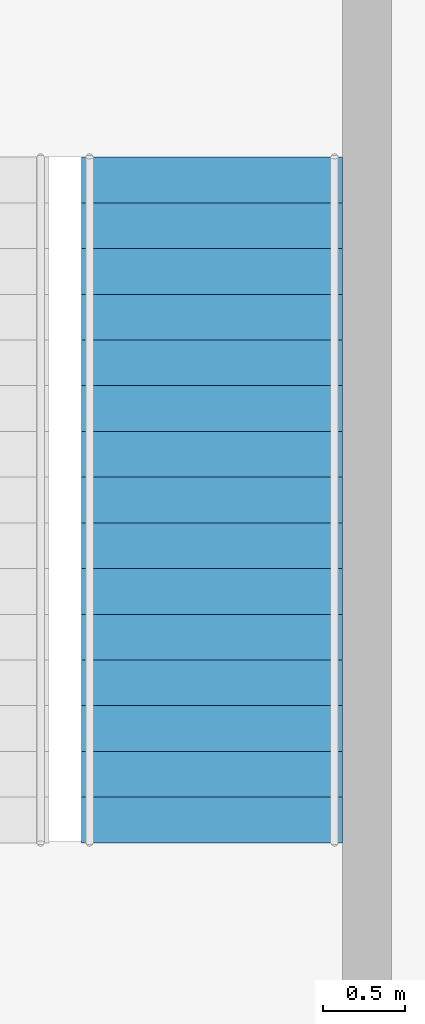
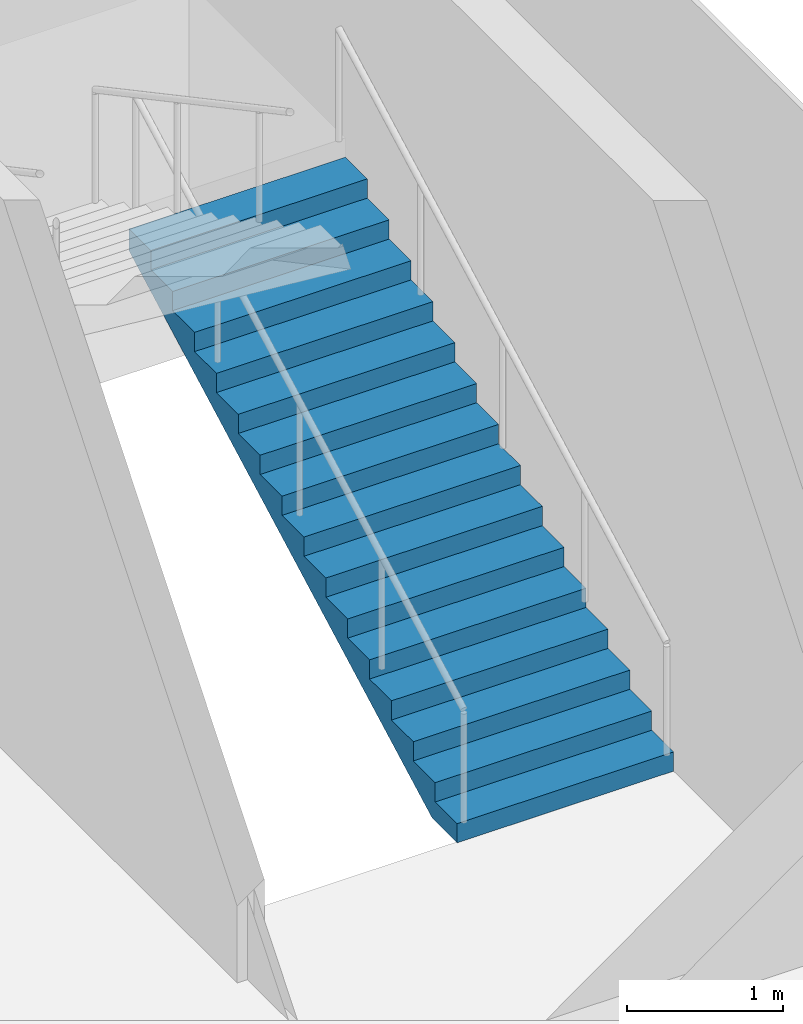
# One storey, part 50 of 53: 1 stair flight, 1 element without a shape of its own.
"""IFC4 building model written with IfcOpenShell, lengths in metres."""

import ifcopenshell
import ifcopenshell.guid

model = None  # the IFC model being written
_history = None  # IfcOwnerHistory: only IFC2X3 demands one
_inside = {}  # id of a spatial element -> (the spatial element, [elements in it])
_under = {}  # id of a project, library or spatial element -> (it, [spatial elements below it])
_declared = {}  # id of a project -> (the project, [libraries it declares])
_typed = {}  # id of a type object -> (the type object, [elements of that type])
_made_of = {}  # id of a material, layer set ... -> (it, [elements and type objects made of it])


def new_model(schema):
    """Start an empty IFC model of exactly this schema.

    Asked for "IFC4X3", IfcOpenShell would pick the latest addendum, in which some entities
    have other attributes; the version numbers below select the first issue.
    IFC2X3 requires an IfcOwnerHistory on every rooted entity: one is made here for all.
    """
    global model, _history
    if schema == "IFC4X3":
        model = ifcopenshell.file(schema_version=(4, 3, 0, 0))
    else:
        model = ifcopenshell.file(schema=schema)
    _inside.clear()
    _under.clear()
    _declared.clear()
    _typed.clear()
    _made_of.clear()
    _history = None
    if model.schema == "IFC2X3":
        org = make("IfcOrganization", Name="unknown")
        user = make(
            "IfcPersonAndOrganization",
            ThePerson=make("IfcPerson", FamilyName="unknown"),
            TheOrganization=org,
        )
        app = make(
            "IfcApplication",
            ApplicationDeveloper=org,
            Version="unknown",
            ApplicationFullName="unknown",
            ApplicationIdentifier="unknown",
        )
        _history = make(
            "IfcOwnerHistory",
            OwningUser=user,
            OwningApplication=app,
            ChangeAction="ADDED",
            CreationDate=0,
        )
    return model


def make(cls, **values):
    """One entity of the class cls with the attributes given. An attribute that is None is left unset."""
    return model.create_entity(
        cls, **{name: value for name, value in values.items() if value is not None}
    )


def rooted(cls, **values):
    """An entity with a GlobalId (a new one), such as an element, a storey or a relation."""
    return make(cls, GlobalId=ifcopenshell.guid.new(), OwnerHistory=_history, **values)


def si_unit(unit_type, name, prefix=None):
    """IfcSIUnit, for example si_unit("LENGTHUNIT", "METRE", prefix="MILLI")."""
    return make("IfcSIUnit", UnitType=unit_type, Prefix=prefix, Name=name)


def assignment(units):
    """IfcUnitAssignment: the units of a project."""
    return None if units is None else make("IfcUnitAssignment", Units=units)


def point(xyz):
    """IfcCartesianPoint."""
    return None if xyz is None else make("IfcCartesianPoint", Coordinates=xyz)


def direction(xyz):
    """IfcDirection."""
    return None if xyz is None else make("IfcDirection", DirectionRatios=xyz)


def frame(location, z_axis=None, x_axis=None):
    """IfcAxis2Placement3D, a coordinate frame: its origin and axes. An axis left out is left unset."""
    return make(
        "IfcAxis2Placement3D",
        Location=point(location),
        Axis=direction(z_axis),
        RefDirection=direction(x_axis),
    )


def origin():
    """The frame at (0, 0, 0) with its axes left unset."""
    return frame((0.0, 0.0, 0.0))


def place(relative_to, where):
    """IfcLocalPlacement: puts the frame where relative to a parent placement (None: the world)."""
    return make(
        "IfcLocalPlacement", PlacementRelTo=relative_to, RelativePlacement=where
    )


def context(
    kind, dimensions, precision=None, world=None, true_north=None, identifier=None
):
    """IfcGeometricRepresentationContext, for example the 3D "Model" context."""
    return make(
        "IfcGeometricRepresentationContext",
        ContextIdentifier=identifier,
        ContextType=kind,
        CoordinateSpaceDimension=dimensions,
        Precision=precision,
        WorldCoordinateSystem=world,
        TrueNorth=true_north,
    )


def subcontext(parent, identifier, kind, view, scale=None):
    """IfcGeometricRepresentationSubContext, for example "Body" below "Model"."""
    return make(
        "IfcGeometricRepresentationSubContext",
        ContextIdentifier=identifier,
        ContextType=kind,
        ParentContext=parent,
        TargetScale=scale,
        TargetView=view,
    )


def project(units=None, contexts=None):
    """IfcProject with its units and contexts."""
    return rooted(
        "IfcProject",
        Name="project",
        RepresentationContexts=contexts,
        UnitsInContext=assignment(units),
    )


def spatial(cls, under=None, at=None, **own):
    """A site, building, storey or space (cls), placed at a placement, below another one or the project."""
    s = rooted(cls, ObjectPlacement=at, **own)
    if under is not None:
        _under.setdefault(under.id(), (under, []))[1].append(s)
    return s


def point_list(points):
    """IfcCartesianPointList2D or 3D."""
    cls = (
        "IfcCartesianPointList2D" if len(points[0]) == 2 else "IfcCartesianPointList3D"
    )
    return make(cls, CoordList=points)


def triangles(points, corners, closed=None, point_numbers=None):
    """IfcTriangulatedFaceSet: each triangle names its three corners, points numbered from 1."""
    return make(
        "IfcTriangulatedFaceSet",
        Coordinates=point_list(points),
        Closed=closed,
        CoordIndex=corners,
        PnIndex=point_numbers,
    )


def shape(context_of_items, identifier, shape_type, items):
    """IfcShapeRepresentation: the items that make up one representation, for example the "Body"."""
    return make(
        "IfcShapeRepresentation",
        ContextOfItems=context_of_items,
        RepresentationIdentifier=identifier,
        RepresentationType=shape_type,
        Items=items,
    )


def material(Name=None, Category=None):
    """IfcMaterial."""
    return make("IfcMaterial", Name=Name, Category=Category)


def made_of(thing, what):
    """Note that an element or type object is made of a material, layer set ...; save() writes the relation."""
    if what is not None:
        _made_of.setdefault(what.id(), (what, []))[1].append(thing)
    return thing


def type_object(cls, material=None, **own):
    """A type object (cls), such as IfcWallType, which elements share."""
    return made_of(rooted(cls, **own), material)


def element(
    cls,
    number,
    at=None,
    inside=None,
    cuts=None,
    type_object=None,
    material=None,
    context=None,
    identifier="Body",
    shape_type=None,
    held_by="IfcProductDefinitionShape",
    body=None,
    shapes=None,
    **own,
):
    """One element of the class cls, such as IfcWall. Its Tag is "e" and its number.

    at: its placement. inside: the storey or other place that contains it. cuts: it is an
    opening in that element (IfcRelVoidsElement). A single representation is given by context,
    identifier, shape_type and body (its items); several are given by shapes. held_by: the class
    of the entity that holds the representations. save() writes the other relations.
    """
    e = rooted(cls, Tag="e%d" % number, ObjectPlacement=at, **own)
    if body is not None:
        shapes = [shape(context, identifier, shape_type, body)]
    if shapes is not None:
        e.Representation = make(held_by, Representations=shapes)
    if inside is not None:
        _inside.setdefault(inside.id(), (inside, []))[1].append(e)
    if cuts is not None:
        rooted(
            "IfcRelVoidsElement", RelatingBuildingElement=cuts, RelatedOpeningElement=e
        )
    if type_object is not None:
        _typed.setdefault(type_object.id(), (type_object, []))[1].append(e)
    return made_of(e, material)


def aggregate(whole, parts):
    """IfcRelAggregates: a whole, such as a stair, and the parts it consists of."""
    return rooted("IfcRelAggregates", RelatingObject=whole, RelatedObjects=parts)


def save(model, path):
    """Write the relations noted so far, then the file.

    IfcRelAggregates (storeys below a building ...), IfcRelContainedInSpatialStructure (elements
    in a storey), IfcRelDefinesByType, IfcRelAssociatesMaterial and IfcRelDeclares: one each for
    every whole, place, type object, material and project.
    """
    for whole, parts in _under.values():
        aggregate(whole, parts)
    for where, things in _inside.values():
        rooted(
            "IfcRelContainedInSpatialStructure",
            RelatedElements=things,
            RelatingStructure=where,
        )
    for kind, things in _typed.values():
        rooted("IfcRelDefinesByType", RelatedObjects=things, RelatingType=kind)
    for what, things in _made_of.values():
        rooted("IfcRelAssociatesMaterial", RelatedObjects=things, RelatingMaterial=what)
    for by, libraries in _declared.values():
        rooted("IfcRelDeclares", RelatingContext=by, RelatedDefinitions=libraries)
    model.write(path)


model = new_model("IFC4")

# Units and contexts
model_context = context("Model", 3, precision=1e-05, world=origin(), true_north=direction((0.0, 1.0)))
body_context = subcontext(model_context, "Body", "Model", "MODEL_VIEW")
ifc_project = project(units=[si_unit("LENGTHUNIT", "METRE"), si_unit("AREAUNIT", "SQUARE_METRE"), si_unit("VOLUMEUNIT", "CUBIC_METRE"), si_unit("PLANEANGLEUNIT", "RADIAN"), si_unit("MASSUNIT", "GRAM", prefix="KILO")], contexts=[model_context])

# Site, building, storey
site_placement = place(None, origin())
site = spatial("IfcSite", under=ifc_project, at=site_placement, CompositionType="ELEMENT")
building_placement = place(site_placement, origin())
building = spatial("IfcBuilding", under=site, at=building_placement, Name="Hakoniwa Tower and Hamabe Station Hall", CompositionType="ELEMENT")
storey_placement = place(building_placement, frame((0.0, 0.0, 15.0)))
storey = spatial("IfcBuildingStorey", under=building, at=storey_placement, Name="L03", CompositionType="ELEMENT", Elevation=15.0)

# Stair, stair flight
ifc_material_1 = material(Name="Concrete C40", Category="concrete")
stair_type = type_object("IfcStairType", Name="STAIR 1600 16X150", PredefinedType="HALF_TURN_STAIR", material=ifc_material_1)
stair_placement = place(storey_placement, origin())
stair = element("IfcStair", 1, at=stair_placement, inside=storey, type_object=stair_type, Name="Escape stair SS2 L03", PredefinedType="HALF_TURN_STAIR")
ifc_material_2 = material(Name="Concrete C40", Category="concrete")
stair_flight_type = type_object("IfcStairFlightType", Name="STAIR FLIGHT 1600", PredefinedType="STRAIGHT", material=ifc_material_2)
stair_flight_placement = place(storey_placement, frame((167.64990234375, 16.89990234375, 0.0), z_axis=(0.0, 0.0, 1.0), x_axis=(0.0, 1.0, 0.0)))
stair_flight = element("IfcStairFlight", 2, at=stair_flight_placement, type_object=stair_flight_type, Name="SS2 flight 1", NumberOfRisers=16, NumberOfTreads=15, PredefinedType="STRAIGHT", RiserHeight=0.15, TreadLength=0.28, context=body_context, shape_type="Tessellation", body=[
    triangles([(0.0, 0.800048828125, 0.0), (0.280029296875, 0.800048828125, 0.0), (0.3173828125, 0.800048828125, 0.0), (0.56005859375, 0.800048828125, 0.1298828125), (0.840087890625, 0.800048828125, 0.280029296875), (1.1201171875, 0.800048828125, 0.429931640625), (1.39990234375, 0.800048828125, 0.579833984375), (1.679931640625, 0.800048828125, 0.72998046875), (1.9599609375, 0.800048828125, 0.8798828125), (2.239990234375, 0.800048828125, 1.030029296875), (2.52001953125, 0.800048828125, 1.179931640625), (2.800048828125, 0.800048828125, 1.329833984375), (3.080078125, 0.800048828125, 1.47998046875), (3.360107421875, 0.800048828125, 1.6298828125), (3.639892578125, 0.800048828125, 1.780029296875), (3.919921875, 0.800048828125, 1.929931640625), (4.199951171875, 0.800048828125, 2.079833984375), (4.199951171875, 0.800048828125, 2.25), (3.919921875, 0.800048828125, 2.25), (3.919921875, 0.800048828125, 2.10009765625), (3.639892578125, 0.800048828125, 2.10009765625), (3.639892578125, 0.800048828125, 1.949951171875), (3.360107421875, 0.800048828125, 1.949951171875), (3.360107421875, 0.800048828125, 1.800048828125), (3.080078125, 0.800048828125, 1.800048828125), (3.080078125, 0.800048828125, 1.64990234375), (2.800048828125, 0.800048828125, 1.64990234375), (2.800048828125, 0.800048828125, 1.5), (2.52001953125, 0.800048828125, 1.5), (2.52001953125, 0.800048828125, 1.35009765625), (2.239990234375, 0.800048828125, 1.35009765625), (2.239990234375, 0.800048828125, 1.199951171875), (1.9599609375, 0.800048828125, 1.199951171875), (1.9599609375, 0.800048828125, 1.050048828125), (1.679931640625, 0.800048828125, 1.050048828125), (1.679931640625, 0.800048828125, 0.89990234375), (1.39990234375, 0.800048828125, 0.89990234375), (1.39990234375, 0.800048828125, 0.75), (1.1201171875, 0.800048828125, 0.75), (1.1201171875, 0.800048828125, 0.60009765625), (0.840087890625, 0.800048828125, 0.60009765625), (0.840087890625, 0.800048828125, 0.449951171875), (0.56005859375, 0.800048828125, 0.449951171875), (0.56005859375, 0.800048828125, 0.300048828125), (0.3173828125, 0.800048828125, 0.300048828125), (0.280029296875, 0.800048828125, 0.300048828125), (0.280029296875, 0.800048828125, 0.14990234375), (0.0, 0.800048828125, 0.14990234375), (0.0, 0.06005859375, 0.0), (0.280029296875, 0.06005859375, 0.0), (0.3173828125, 0.06005859375, 0.0), (0.56005859375, 0.06005859375, 0.1298828125), (0.840087890625, 0.06005859375, 0.280029296875), (1.1201171875, 0.06005859375, 0.429931640625), (1.39990234375, 0.06005859375, 0.579833984375), (1.679931640625, 0.06005859375, 0.72998046875), (1.9599609375, 0.06005859375, 0.8798828125), (2.239990234375, 0.06005859375, 1.030029296875), (2.52001953125, 0.06005859375, 1.179931640625), (2.800048828125, 0.06005859375, 1.329833984375), (3.080078125, 0.06005859375, 1.47998046875), (3.360107421875, 0.06005859375, 1.6298828125), (3.639892578125, 0.06005859375, 1.780029296875), (3.919921875, 0.06005859375, 1.929931640625), (4.199951171875, 0.06005859375, 2.079833984375), (4.199951171875, 0.06005859375, 2.25), (3.919921875, 0.06005859375, 2.25), (3.919921875, 0.06005859375, 2.10009765625), (3.639892578125, 0.06005859375, 2.10009765625), (3.639892578125, 0.06005859375, 1.949951171875), (3.360107421875, 0.06005859375, 1.949951171875), (3.360107421875, 0.06005859375, 1.800048828125), (3.080078125, 0.06005859375, 1.800048828125), (3.080078125, 0.06005859375, 1.64990234375), (2.800048828125, 0.06005859375, 1.64990234375), (2.800048828125, 0.06005859375, 1.5), (2.52001953125, 0.06005859375, 1.5), (2.52001953125, 0.06005859375, 1.35009765625), (2.239990234375, 0.06005859375, 1.35009765625), (2.239990234375, 0.06005859375, 1.199951171875), (1.9599609375, 0.06005859375, 1.199951171875), (1.9599609375, 0.06005859375, 1.050048828125), (1.679931640625, 0.06005859375, 1.050048828125), (1.679931640625, 0.06005859375, 0.89990234375), (1.39990234375, 0.06005859375, 0.89990234375), (1.39990234375, 0.06005859375, 0.75), (1.1201171875, 0.06005859375, 0.75), (1.1201171875, 0.06005859375, 0.60009765625), (0.840087890625, 0.06005859375, 0.60009765625), (0.840087890625, 0.06005859375, 0.449951171875), (0.56005859375, 0.06005859375, 0.449951171875), (0.56005859375, 0.06005859375, 0.300048828125), (0.3173828125, 0.06005859375, 0.300048828125), (0.280029296875, 0.06005859375, 0.300048828125), (0.280029296875, 0.06005859375, 0.14990234375), (0.0, 0.06005859375, 0.14990234375), (0.0, 0.02001953125, 0.0), (0.280029296875, 0.02001953125, 0.0), (0.3173828125, 0.02001953125, 0.0), (0.56005859375, 0.02001953125, 0.1298828125), (0.840087890625, 0.02001953125, 0.280029296875), (1.1201171875, 0.02001953125, 0.429931640625), (1.39990234375, 0.02001953125, 0.579833984375), (1.679931640625, 0.02001953125, 0.72998046875), (1.9599609375, 0.02001953125, 0.8798828125), (2.239990234375, 0.02001953125, 1.030029296875), (2.52001953125, 0.02001953125, 1.179931640625), (2.800048828125, 0.02001953125, 1.329833984375), (3.080078125, 0.02001953125, 1.47998046875), (3.360107421875, 0.02001953125, 1.6298828125), (3.639892578125, 0.02001953125, 1.780029296875), (3.919921875, 0.02001953125, 1.929931640625), (4.199951171875, 0.02001953125, 2.079833984375), (4.199951171875, 0.02001953125, 2.25), (3.919921875, 0.02001953125, 2.25), (3.919921875, 0.02001953125, 2.10009765625), (3.639892578125, 0.02001953125, 2.10009765625), (3.639892578125, 0.02001953125, 1.949951171875), (3.360107421875, 0.02001953125, 1.949951171875), (3.360107421875, 0.02001953125, 1.800048828125), (3.080078125, 0.02001953125, 1.800048828125), (3.080078125, 0.02001953125, 1.64990234375), (2.800048828125, 0.02001953125, 1.64990234375), (2.800048828125, 0.02001953125, 1.5), (2.52001953125, 0.02001953125, 1.5), (2.52001953125, 0.02001953125, 1.35009765625), (2.239990234375, 0.02001953125, 1.35009765625), (2.239990234375, 0.02001953125, 1.199951171875), (1.9599609375, 0.02001953125, 1.199951171875), (1.9599609375, 0.02001953125, 1.050048828125), (1.679931640625, 0.02001953125, 1.050048828125), (1.679931640625, 0.02001953125, 0.89990234375), (1.39990234375, 0.02001953125, 0.89990234375), (1.39990234375, 0.02001953125, 0.75), (1.1201171875, 0.02001953125, 0.75), (1.1201171875, 0.02001953125, 0.60009765625), (0.840087890625, 0.02001953125, 0.60009765625), (0.840087890625, 0.02001953125, 0.449951171875), (0.56005859375, 0.02001953125, 0.449951171875), (0.56005859375, 0.02001953125, 0.300048828125), (0.3173828125, 0.02001953125, 0.300048828125), (0.280029296875, 0.02001953125, 0.300048828125), (0.280029296875, 0.02001953125, 0.14990234375), (0.0, 0.02001953125, 0.14990234375), (0.0, -0.02001953125, 0.0), (0.280029296875, -0.02001953125, 0.0), (0.3173828125, -0.02001953125, 0.0), (0.56005859375, -0.02001953125, 0.1298828125), (0.840087890625, -0.02001953125, 0.280029296875), (1.1201171875, -0.02001953125, 0.429931640625), (1.39990234375, -0.02001953125, 0.579833984375), (1.679931640625, -0.02001953125, 0.72998046875), (1.9599609375, -0.02001953125, 0.8798828125), (2.239990234375, -0.02001953125, 1.030029296875), (2.52001953125, -0.02001953125, 1.179931640625), (2.800048828125, -0.02001953125, 1.329833984375), (3.080078125, -0.02001953125, 1.47998046875), (3.360107421875, -0.02001953125, 1.6298828125), (3.639892578125, -0.02001953125, 1.780029296875), (3.919921875, -0.02001953125, 1.929931640625), (4.199951171875, -0.02001953125, 2.079833984375), (4.199951171875, -0.02001953125, 2.25), (3.919921875, -0.02001953125, 2.25), (3.919921875, -0.02001953125, 2.10009765625), (3.639892578125, -0.02001953125, 2.10009765625), (3.639892578125, -0.02001953125, 1.949951171875), (3.360107421875, -0.02001953125, 1.949951171875), (3.360107421875, -0.02001953125, 1.800048828125), (3.080078125, -0.02001953125, 1.800048828125), (3.080078125, -0.02001953125, 1.64990234375), (2.800048828125, -0.02001953125, 1.64990234375), (2.800048828125, -0.02001953125, 1.5), (2.52001953125, -0.02001953125, 1.5), (2.52001953125, -0.02001953125, 1.35009765625), (2.239990234375, -0.02001953125, 1.35009765625), (2.239990234375, -0.02001953125, 1.199951171875), (1.9599609375, -0.02001953125, 1.199951171875), (1.9599609375, -0.02001953125, 1.050048828125), (1.679931640625, -0.02001953125, 1.050048828125), (1.679931640625, -0.02001953125, 0.89990234375), (1.39990234375, -0.02001953125, 0.89990234375), (1.39990234375, -0.02001953125, 0.75), (1.1201171875, -0.02001953125, 0.75), (1.1201171875, -0.02001953125, 0.60009765625), (0.840087890625, -0.02001953125, 0.60009765625), (0.840087890625, -0.02001953125, 0.449951171875), (0.56005859375, -0.02001953125, 0.449951171875), (0.56005859375, -0.02001953125, 0.300048828125), (0.3173828125, -0.02001953125, 0.300048828125), (0.280029296875, -0.02001953125, 0.300048828125), (0.280029296875, -0.02001953125, 0.14990234375), (0.0, -0.02001953125, 0.14990234375), (0.0, -0.06005859375, 0.0), (0.280029296875, -0.06005859375, 0.0), (0.3173828125, -0.06005859375, 0.0), (0.56005859375, -0.06005859375, 0.1298828125), (0.840087890625, -0.06005859375, 0.280029296875), (1.1201171875, -0.06005859375, 0.429931640625), (1.39990234375, -0.06005859375, 0.579833984375), (1.679931640625, -0.06005859375, 0.72998046875), (1.9599609375, -0.06005859375, 0.8798828125), (2.239990234375, -0.06005859375, 1.030029296875), (2.52001953125, -0.06005859375, 1.179931640625), (2.800048828125, -0.06005859375, 1.329833984375), (3.080078125, -0.06005859375, 1.47998046875), (3.360107421875, -0.06005859375, 1.6298828125), (3.639892578125, -0.06005859375, 1.780029296875), (3.919921875, -0.06005859375, 1.929931640625), (4.199951171875, -0.06005859375, 2.079833984375), (4.199951171875, -0.06005859375, 2.25), (3.919921875, -0.06005859375, 2.25), (3.919921875, -0.06005859375, 2.10009765625), (3.639892578125, -0.06005859375, 2.10009765625), (3.639892578125, -0.06005859375, 1.949951171875), (3.360107421875, -0.06005859375, 1.949951171875), (3.360107421875, -0.06005859375, 1.800048828125), (3.080078125, -0.06005859375, 1.800048828125), (3.080078125, -0.06005859375, 1.64990234375), (2.800048828125, -0.06005859375, 1.64990234375), (2.800048828125, -0.06005859375, 1.5), (2.52001953125, -0.06005859375, 1.5), (2.52001953125, -0.06005859375, 1.35009765625), (2.239990234375, -0.06005859375, 1.35009765625), (2.239990234375, -0.06005859375, 1.199951171875), (1.9599609375, -0.06005859375, 1.199951171875), (1.9599609375, -0.06005859375, 1.050048828125), (1.679931640625, -0.06005859375, 1.050048828125), (1.679931640625, -0.06005859375, 0.89990234375), (1.39990234375, -0.06005859375, 0.89990234375), (1.39990234375, -0.06005859375, 0.75), (1.1201171875, -0.06005859375, 0.75), (1.1201171875, -0.06005859375, 0.60009765625), (0.840087890625, -0.06005859375, 0.60009765625), (0.840087890625, -0.06005859375, 0.449951171875), (0.56005859375, -0.06005859375, 0.449951171875), (0.56005859375, -0.06005859375, 0.300048828125), (0.3173828125, -0.06005859375, 0.300048828125), (0.280029296875, -0.06005859375, 0.300048828125), (0.280029296875, -0.06005859375, 0.14990234375), (0.0, -0.06005859375, 0.14990234375), (0.0, -0.800048828125, 0.0), (0.280029296875, -0.800048828125, 0.0), (0.3173828125, -0.800048828125, 0.0), (0.56005859375, -0.800048828125, 0.1298828125), (0.840087890625, -0.800048828125, 0.280029296875), (1.1201171875, -0.800048828125, 0.429931640625), (1.39990234375, -0.800048828125, 0.579833984375), (1.679931640625, -0.800048828125, 0.72998046875), (1.9599609375, -0.800048828125, 0.8798828125), (2.239990234375, -0.800048828125, 1.030029296875), (2.52001953125, -0.800048828125, 1.179931640625), (2.800048828125, -0.800048828125, 1.329833984375), (3.080078125, -0.800048828125, 1.47998046875), (3.360107421875, -0.800048828125, 1.6298828125), (3.639892578125, -0.800048828125, 1.780029296875), (3.919921875, -0.800048828125, 1.929931640625), (4.199951171875, -0.800048828125, 2.079833984375), (4.199951171875, -0.800048828125, 2.25), (3.919921875, -0.800048828125, 2.25), (3.919921875, -0.800048828125, 2.10009765625), (3.639892578125, -0.800048828125, 2.10009765625), (3.639892578125, -0.800048828125, 1.949951171875), (3.360107421875, -0.800048828125, 1.949951171875), (3.360107421875, -0.800048828125, 1.800048828125), (3.080078125, -0.800048828125, 1.800048828125), (3.080078125, -0.800048828125, 1.64990234375), (2.800048828125, -0.800048828125, 1.64990234375), (2.800048828125, -0.800048828125, 1.5), (2.52001953125, -0.800048828125, 1.5), (2.52001953125, -0.800048828125, 1.35009765625), (2.239990234375, -0.800048828125, 1.35009765625), (2.239990234375, -0.800048828125, 1.199951171875), (1.9599609375, -0.800048828125, 1.199951171875), (1.9599609375, -0.800048828125, 1.050048828125), (1.679931640625, -0.800048828125, 1.050048828125), (1.679931640625, -0.800048828125, 0.89990234375), (1.39990234375, -0.800048828125, 0.89990234375), (1.39990234375, -0.800048828125, 0.75), (1.1201171875, -0.800048828125, 0.75), (1.1201171875, -0.800048828125, 0.60009765625), (0.840087890625, -0.800048828125, 0.60009765625), (0.840087890625, -0.800048828125, 0.449951171875), (0.56005859375, -0.800048828125, 0.449951171875), (0.56005859375, -0.800048828125, 0.300048828125), (0.3173828125, -0.800048828125, 0.300048828125), (0.280029296875, -0.800048828125, 0.300048828125), (0.280029296875, -0.800048828125, 0.14990234375), (0.0, -0.800048828125, 0.14990234375)], [[2, 48, 47], [242, 287, 288], [2, 1, 48], [242, 288, 241], [3, 46, 45], [243, 285, 286], [3, 47, 46], [243, 286, 287], [3, 2, 47], [243, 287, 242], [4, 45, 44], [244, 284, 285], [4, 3, 45], [244, 285, 243], [5, 43, 42], [245, 282, 283], [5, 44, 43], [245, 283, 284], [5, 4, 44], [245, 284, 244], [6, 41, 40], [246, 280, 281], [6, 42, 41], [246, 281, 282], [6, 5, 42], [246, 282, 245], [7, 39, 38], [247, 278, 279], [7, 40, 39], [247, 279, 280], [7, 6, 40], [247, 280, 246], [8, 37, 36], [248, 276, 277], [8, 38, 37], [248, 277, 278], [8, 7, 38], [248, 278, 247], [9, 35, 34], [249, 274, 275], [9, 36, 35], [249, 275, 276], [9, 8, 36], [249, 276, 248], [10, 33, 32], [250, 272, 273], [10, 34, 33], [250, 273, 274], [10, 9, 34], [250, 274, 249], [11, 31, 30], [251, 270, 271], [11, 32, 31], [251, 271, 272], [11, 10, 32], [251, 272, 250], [12, 29, 28], [252, 268, 269], [12, 30, 29], [252, 269, 270], [12, 11, 30], [252, 270, 251], [13, 27, 26], [253, 266, 267], [13, 28, 27], [253, 267, 268], [13, 12, 28], [253, 268, 252], [14, 25, 24], [254, 264, 265], [14, 26, 25], [254, 265, 266], [14, 13, 26], [254, 266, 253], [15, 23, 22], [255, 262, 263], [15, 24, 23], [255, 263, 264], [15, 14, 24], [255, 264, 254], [16, 21, 20], [256, 260, 261], [16, 22, 21], [256, 261, 262], [16, 15, 22], [256, 262, 255], [17, 19, 18], [257, 258, 259], [17, 20, 19], [257, 259, 260], [17, 16, 20], [257, 260, 256], [1, 2, 50], [1, 50, 49], [49, 50, 98], [49, 98, 97], [97, 98, 146], [97, 146, 145], [145, 146, 194], [145, 194, 193], [193, 194, 242], [193, 242, 241], [2, 3, 51], [2, 51, 50], [50, 51, 99], [50, 99, 98], [98, 99, 147], [98, 147, 146], [146, 147, 195], [146, 195, 194], [194, 195, 243], [194, 243, 242], [3, 4, 52], [3, 52, 51], [51, 52, 100], [51, 100, 99], [99, 100, 148], [99, 148, 147], [147, 148, 196], [147, 196, 195], [195, 196, 244], [195, 244, 243], [4, 5, 53], [4, 53, 52], [52, 53, 101], [52, 101, 100], [100, 101, 149], [100, 149, 148], [148, 149, 197], [148, 197, 196], [196, 197, 245], [196, 245, 244], [5, 6, 54], [5, 54, 53], [53, 54, 102], [53, 102, 101], [101, 102, 150], [101, 150, 149], [149, 150, 198], [149, 198, 197], [197, 198, 246], [197, 246, 245], [6, 7, 55], [6, 55, 54], [54, 55, 103], [54, 103, 102], [102, 103, 151], [102, 151, 150], [150, 151, 199], [150, 199, 198], [198, 199, 247], [198, 247, 246], [7, 8, 56], [7, 56, 55], [55, 56, 104], [55, 104, 103], [103, 104, 152], [103, 152, 151], [151, 152, 200], [151, 200, 199], [199, 200, 248], [199, 248, 247], [8, 9, 57], [8, 57, 56], [56, 57, 105], [56, 105, 104], [104, 105, 153], [104, 153, 152], [152, 153, 201], [152, 201, 200], [200, 201, 249], [200, 249, 248], [9, 10, 58], [9, 58, 57], [57, 58, 106], [57, 106, 105], [105, 106, 154], [105, 154, 153], [153, 154, 202], [153, 202, 201], [201, 202, 250], [201, 250, 249], [10, 11, 59], [10, 59, 58], [58, 59, 107], [58, 107, 106], [106, 107, 155], [106, 155, 154], [154, 155, 203], [154, 203, 202], [202, 203, 251], [202, 251, 250], [11, 12, 60], [11, 60, 59], [59, 60, 108], [59, 108, 107], [107, 108, 156], [107, 156, 155], [155, 156, 204], [155, 204, 203], [203, 204, 252], [203, 252, 251], [12, 13, 61], [12, 61, 60], [60, 61, 109], [60, 109, 108], [108, 109, 157], [108, 157, 156], [156, 157, 205], [156, 205, 204], [204, 205, 253], [204, 253, 252], [13, 14, 62], [13, 62, 61], [61, 62, 110], [61, 110, 109], [109, 110, 158], [109, 158, 157], [157, 158, 206], [157, 206, 205], [205, 206, 254], [205, 254, 253], [14, 15, 63], [14, 63, 62], [62, 63, 111], [62, 111, 110], [110, 111, 159], [110, 159, 158], [158, 159, 207], [158, 207, 206], [206, 207, 255], [206, 255, 254], [15, 16, 64], [15, 64, 63], [63, 64, 112], [63, 112, 111], [111, 112, 160], [111, 160, 159], [159, 160, 208], [159, 208, 207], [207, 208, 256], [207, 256, 255], [16, 17, 65], [16, 65, 64], [64, 65, 113], [64, 113, 112], [112, 113, 161], [112, 161, 160], [160, 161, 209], [160, 209, 208], [208, 209, 257], [208, 257, 256], [17, 18, 66], [17, 66, 65], [65, 66, 114], [65, 114, 113], [113, 114, 162], [113, 162, 161], [161, 162, 210], [161, 210, 209], [209, 210, 258], [209, 258, 257], [18, 19, 67], [18, 67, 66], [66, 67, 115], [66, 115, 114], [114, 115, 163], [114, 163, 162], [162, 163, 211], [162, 211, 210], [210, 211, 259], [210, 259, 258], [19, 20, 68], [19, 68, 67], [67, 68, 116], [67, 116, 115], [115, 116, 164], [115, 164, 163], [163, 164, 212], [163, 212, 211], [211, 212, 260], [211, 260, 259], [20, 21, 69], [20, 69, 68], [68, 69, 117], [68, 117, 116], [116, 117, 165], [116, 165, 164], [164, 165, 213], [164, 213, 212], [212, 213, 261], [212, 261, 260], [21, 22, 70], [21, 70, 69], [69, 70, 118], [69, 118, 117], [117, 118, 166], [117, 166, 165], [165, 166, 214], [165, 214, 213], [213, 214, 262], [213, 262, 261], [22, 23, 71], [22, 71, 70], [70, 71, 119], [70, 119, 118], [118, 119, 167], [118, 167, 166], [166, 167, 215], [166, 215, 214], [214, 215, 263], [214, 263, 262], [23, 24, 72], [23, 72, 71], [71, 72, 120], [71, 120, 119], [119, 120, 168], [119, 168, 167], [167, 168, 216], [167, 216, 215], [215, 216, 264], [215, 264, 263], [24, 25, 73], [24, 73, 72], [72, 73, 121], [72, 121, 120], [120, 121, 169], [120, 169, 168], [168, 169, 217], [168, 217, 216], [216, 217, 265], [216, 265, 264], [25, 26, 74], [25, 74, 73], [73, 74, 122], [73, 122, 121], [121, 122, 170], [121, 170, 169], [169, 170, 218], [169, 218, 217], [217, 218, 266], [217, 266, 265], [26, 27, 75], [26, 75, 74], [74, 75, 123], [74, 123, 122], [122, 123, 171], [122, 171, 170], [170, 171, 219], [170, 219, 218], [218, 219, 267], [218, 267, 266], [27, 28, 76], [27, 76, 75], [75, 76, 124], [75, 124, 123], [123, 124, 172], [123, 172, 171], [171, 172, 220], [171, 220, 219], [219, 220, 268], [219, 268, 267], [28, 29, 77], [28, 77, 76], [76, 77, 125], [76, 125, 124], [124, 125, 173], [124, 173, 172], [172, 173, 221], [172, 221, 220], [220, 221, 269], [220, 269, 268], [29, 30, 78], [29, 78, 77], [77, 78, 126], [77, 126, 125], [125, 126, 174], [125, 174, 173], [173, 174, 222], [173, 222, 221], [221, 222, 270], [221, 270, 269], [30, 31, 79], [30, 79, 78], [78, 79, 127], [78, 127, 126], [126, 127, 175], [126, 175, 174], [174, 175, 223], [174, 223, 222], [222, 223, 271], [222, 271, 270], [31, 32, 80], [31, 80, 79], [79, 80, 128], [79, 128, 127], [127, 128, 176], [127, 176, 175], [175, 176, 224], [175, 224, 223], [223, 224, 272], [223, 272, 271], [32, 33, 81], [32, 81, 80], [80, 81, 129], [80, 129, 128], [128, 129, 177], [128, 177, 176], [176, 177, 225], [176, 225, 224], [224, 225, 273], [224, 273, 272], [33, 34, 82], [33, 82, 81], [81, 82, 130], [81, 130, 129], [129, 130, 178], [129, 178, 177], [177, 178, 226], [177, 226, 225], [225, 226, 274], [225, 274, 273], [34, 35, 83], [34, 83, 82], [82, 83, 131], [82, 131, 130], [130, 131, 179], [130, 179, 178], [178, 179, 227], [178, 227, 226], [226, 227, 275], [226, 275, 274], [35, 36, 84], [35, 84, 83], [83, 84, 132], [83, 132, 131], [131, 132, 180], [131, 180, 179], [179, 180, 228], [179, 228, 227], [227, 228, 276], [227, 276, 275], [36, 37, 85], [36, 85, 84], [84, 85, 133], [84, 133, 132], [132, 133, 181], [132, 181, 180], [180, 181, 229], [180, 229, 228], [228, 229, 277], [228, 277, 276], [37, 38, 86], [37, 86, 85], [85, 86, 134], [85, 134, 133], [133, 134, 182], [133, 182, 181], [181, 182, 230], [181, 230, 229], [229, 230, 278], [229, 278, 277], [38, 39, 87], [38, 87, 86], [86, 87, 135], [86, 135, 134], [134, 135, 183], [134, 183, 182], [182, 183, 231], [182, 231, 230], [230, 231, 279], [230, 279, 278], [39, 40, 88], [39, 88, 87], [87, 88, 136], [87, 136, 135], [135, 136, 184], [135, 184, 183], [183, 184, 232], [183, 232, 231], [231, 232, 280], [231, 280, 279], [40, 41, 89], [40, 89, 88], [88, 89, 137], [88, 137, 136], [136, 137, 185], [136, 185, 184], [184, 185, 233], [184, 233, 232], [232, 233, 281], [232, 281, 280], [41, 42, 90], [41, 90, 89], [89, 90, 138], [89, 138, 137], [137, 138, 186], [137, 186, 185], [185, 186, 234], [185, 234, 233], [233, 234, 282], [233, 282, 281], [42, 43, 91], [42, 91, 90], [90, 91, 139], [90, 139, 138], [138, 139, 187], [138, 187, 186], [186, 187, 235], [186, 235, 234], [234, 235, 283], [234, 283, 282], [43, 44, 92], [43, 92, 91], [91, 92, 140], [91, 140, 139], [139, 140, 188], [139, 188, 187], [187, 188, 236], [187, 236, 235], [235, 236, 284], [235, 284, 283], [44, 45, 93], [44, 93, 92], [92, 93, 141], [92, 141, 140], [140, 141, 189], [140, 189, 188], [188, 189, 237], [188, 237, 236], [236, 237, 285], [236, 285, 284], [45, 46, 94], [45, 94, 93], [93, 94, 142], [93, 142, 141], [141, 142, 190], [141, 190, 189], [189, 190, 238], [189, 238, 237], [237, 238, 286], [237, 286, 285], [46, 47, 95], [46, 95, 94], [94, 95, 143], [94, 143, 142], [142, 143, 191], [142, 191, 190], [190, 191, 239], [190, 239, 238], [238, 239, 287], [238, 287, 286], [47, 48, 96], [47, 96, 95], [95, 96, 144], [95, 144, 143], [143, 144, 192], [143, 192, 191], [191, 192, 240], [191, 240, 239], [239, 240, 288], [239, 288, 287], [48, 1, 49], [48, 49, 96], [96, 49, 97], [96, 97, 144], [144, 97, 145], [144, 145, 192], [192, 145, 193], [192, 193, 240], [240, 193, 241], [240, 241, 288]], closed=True),
])
aggregate(stair, [stair_flight])

save(model, "model.ifc")
